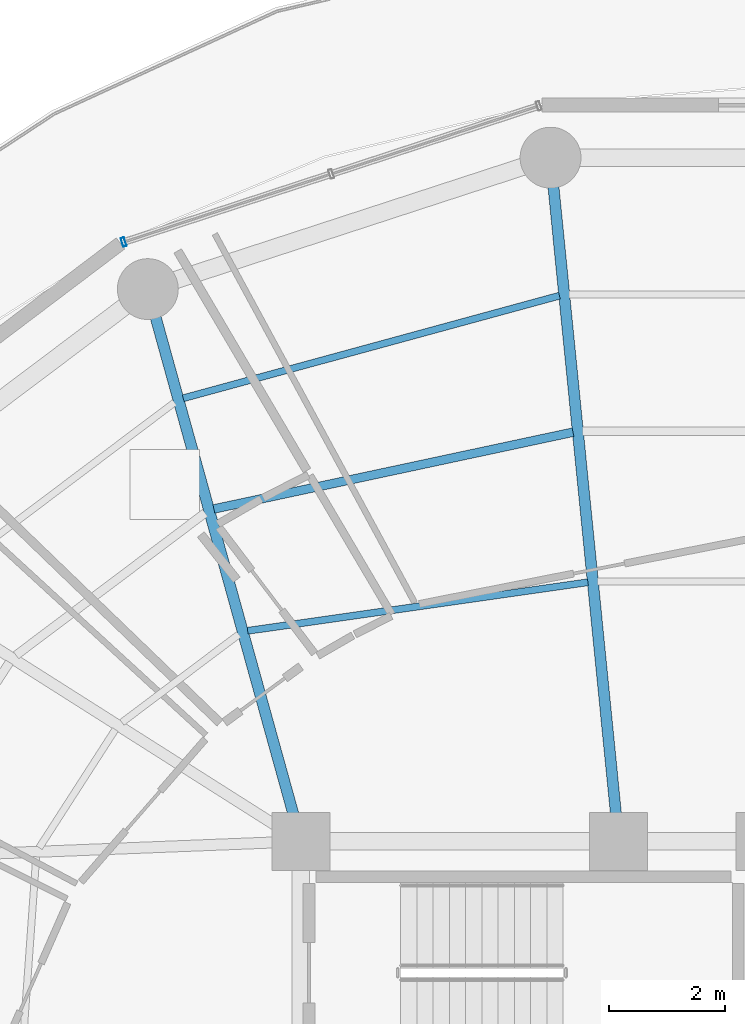
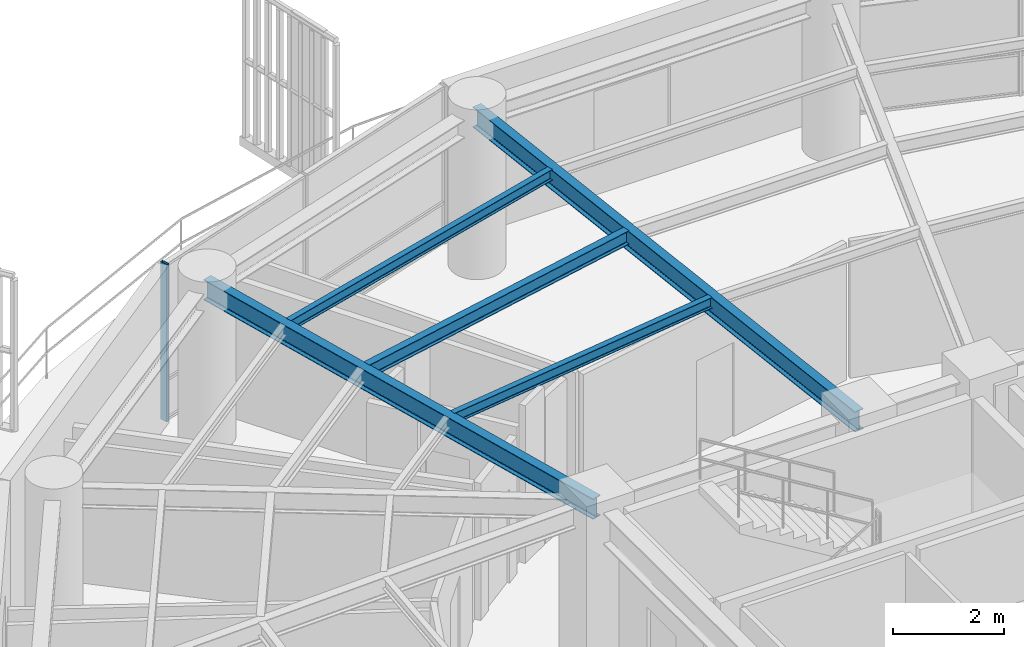
# One storey, part 18 of 31: 5 beams, 1 member, 1 element without a shape of its own.
"""IFC4 building model written with IfcOpenShell, lengths in metres."""

from ifc_helpers import new_model, si_unit, direction, frame, origin, origin_2d, place, context, subcontext, project, spatial, hollow_rectangle, i_section, extrude, material, layer, layer_set, material_profile, profile_set, type_object, element, aggregate, save


model = new_model("IFC4")

# Units and contexts
model_context = context("Model", 3, precision=1e-05, world=origin(), true_north=direction((0.0, 1.0)))
body_context = subcontext(model_context, "Body", "Model", "MODEL_VIEW")
ifc_project = project(units=[si_unit("LENGTHUNIT", "METRE"), si_unit("AREAUNIT", "SQUARE_METRE"), si_unit("VOLUMEUNIT", "CUBIC_METRE"), si_unit("PLANEANGLEUNIT", "RADIAN"), si_unit("MASSUNIT", "GRAM", prefix="KILO")], contexts=[model_context])

# Site, building, storey
site_placement = place(None, origin())
site = spatial("IfcSite", under=ifc_project, at=site_placement, CompositionType="ELEMENT")
building_placement = place(site_placement, origin())
building = spatial("IfcBuilding", under=site, at=building_placement, Name="Kelanora Arch Commons", CompositionType="ELEMENT")
storey_placement = place(building_placement, frame((0.0, 0.0, 230.699951171875)))
storey = spatial("IfcBuildingStorey", under=building, at=storey_placement, Name="L59", CompositionType="ELEMENT", Elevation=230.699951171875)

# Beams
ifc_material_1 = material(Name="Steel S355", Category="steel")
ifc_material_profile_1 = material_profile(ifc_material_1, i_section(OverallWidth=0.14990234375, OverallDepth=0.300048828125, WebThickness=0.007080078125, FlangeThickness=0.0107421875, FilletRadius=0.014892578125, at=origin_2d()), Name="IPE300")
ifc_profile_set_1 = profile_set([ifc_material_profile_1], Name="Steel S355")
beam_type_1 = type_object("IfcBeamType", Name="BM-JST-01", PredefinedType="JOIST", material=ifc_profile_set_1)
beam_1_placement = place(storey_placement, frame((70.69189453125, 72.056396484375, 3.340087890625), z_axis=(-0.977893715981, -0.209102559153, 0.0), x_axis=(0.209102559153, -0.977893715981, 0.0)))
element("IfcBeam", 1, at=beam_1_placement, inside=storey, type_object=beam_type_1, Name="Secondary Chord Joist BJB-10 L59", PredefinedType="JOIST", context=body_context, shape_type="SweptSolid", body=[
    extrude(i_section(OverallWidth=0.14990234375, OverallDepth=0.300048828125, WebThickness=0.007080078125, FlangeThickness=0.0107421875, FilletRadius=0.014892578125, at=origin_2d()), origin(), (0.0, 0.0, 1.0), 6.332763671875),
])
ifc_material_profile_2 = material_profile(ifc_material_1, i_section(OverallWidth=0.1201171875, OverallDepth=0.239990234375, WebThickness=0.006103515625, FlangeThickness=0.009765625, FilletRadius=0.014892578125, at=origin_2d()), Name="IPE240")
ifc_profile_set_2 = profile_set([ifc_material_profile_2], Name="Steel S355")
beam_type_2 = type_object("IfcBeamType", Name="BM-JST-02", PredefinedType="JOIST", material=ifc_profile_set_2)
beam_2_placement = place(storey_placement, frame((70.94921875, 69.46826171875, 3.3701171875), z_axis=(-0.989977480435, -0.141225310164, 0.0), x_axis=(0.141225310164, -0.989977480435, 0.0)))
element("IfcBeam", 2, at=beam_2_placement, inside=storey, type_object=beam_type_2, Name="Secondary Chord Joist BJA-10 L59", PredefinedType="JOIST", context=body_context, shape_type="SweptSolid", body=[
    extrude(i_section(OverallWidth=0.1201171875, OverallDepth=0.239990234375, WebThickness=0.006103515625, FlangeThickness=0.009765625, FilletRadius=0.014892578125, at=origin_2d()), origin(), (0.0, 0.0, 1.0), 5.927734375),
])
beam_3_placement = place(storey_placement, frame((70.457763671875, 74.40966796875, 3.3701171875), z_axis=(-0.964804863594, -0.262966870889, 0.0), x_axis=(0.262966870889, -0.964804863594, 0.0)))
element("IfcBeam", 3, at=beam_3_placement, inside=storey, type_object=beam_type_2, Name="Secondary Chord Joist BJC-10 L59", PredefinedType="JOIST", context=body_context, shape_type="SweptSolid", body=[
    extrude(i_section(OverallWidth=0.1201171875, OverallDepth=0.239990234375, WebThickness=0.006103515625, FlangeThickness=0.009765625, FilletRadius=0.014892578125, at=origin_2d()), origin(), (0.0, 0.0, 1.0), 6.724365234375),
])
ifc_material_profile_3 = material_profile(ifc_material_1, i_section(OverallWidth=0.18994140625, OverallDepth=0.449951171875, WebThickness=0.009521484375, FlangeThickness=0.0146484375, FilletRadius=0.02099609375, at=origin_2d()), Name="IPE450")
ifc_profile_set_3 = profile_set([ifc_material_profile_3], Name="Steel S355")
beam_type_3 = type_object("IfcBeamType", Name="BM-RAD-Z4", PredefinedType="BEAM", material=ifc_profile_set_3)
beam_4_placement = place(storey_placement, frame((71.47998046875, 65.0, 3.26513671875), z_axis=(-0.099193615558, 0.995068151753, 0.0), x_axis=(-0.995068151753, -0.099193615558, 0.0)))
element("IfcBeam", 4, at=beam_4_placement, inside=storey, type_object=beam_type_3, Name="Radial Floor Girder BR-10 L59", PredefinedType="BEAM", context=body_context, shape_type="SweptSolid", body=[
    extrude(i_section(OverallWidth=0.18994140625, OverallDepth=0.449951171875, WebThickness=0.009521484375, FlangeThickness=0.0146484375, FilletRadius=0.02099609375, at=origin_2d()), origin(), (0.0, 0.0, 1.0), 11.848388671875),
])
beam_5_placement = place(storey_placement, frame((66.0, 65.0, 3.26513671875), z_axis=(-0.267120164296, 0.963663228429, 0.0), x_axis=(-0.963663228429, -0.267120164296, 0.0)))
element("IfcBeam", 5, at=beam_5_placement, inside=storey, type_object=beam_type_3, Name="Radial Floor Girder BR-12 L59", PredefinedType="BEAM", context=body_context, shape_type="SweptSolid", body=[
    extrude(i_section(OverallWidth=0.18994140625, OverallDepth=0.449951171875, WebThickness=0.009521484375, FlangeThickness=0.0146484375, FilletRadius=0.02099609375, at=origin_2d()), origin(), (0.0, 0.0, 1.0), 9.8828125),
])

# Curtain wall, member
ifc_material_2 = material(Name="Terracotta ceramic-fritted low-E glass and aluminium", Category="masonry")
ifc_layer = layer(ifc_material_2, 0.175048828125)
ifc_layer_set = layer_set([ifc_layer], Name="Terracotta ceramic-fritted low-E glass and aluminium")
curtain_wall_type = type_object("IfcCurtainWallType", Name="CW-SYS-02", PredefinedType="NOTDEFINED", material=ifc_layer_set)
curtain_wall_placement = place(storey_placement, origin())
curtain_wall = element("IfcCurtainWall", 6, at=curtain_wall_placement, inside=storey, type_object=curtain_wall_type, Name="Unitised Curtain Wall L59-B05", PredefinedType="NOTDEFINED")
ifc_material_3 = material(Name="Powder-coated aluminium terracotta", Category="masonry")
ifc_material_profile_4 = material_profile(ifc_material_3, hollow_rectangle(XDim=0.159912109375, YDim=0.06005859375, WallThickness=0.0048828125, InnerFilletRadius=0.0048828125, OuterFilletRadius=0.010009765625, at=origin_2d()), Name="CWM160x60")
ifc_profile_set_4 = profile_set([ifc_material_profile_4], Name="Powder-coated aluminium terracotta")
member_type = type_object("IfcMemberType", Name="CWM-STD", PredefinedType="MULLION", material=ifc_profile_set_4)
member_placement = place(storey_placement, frame((62.94287109375, 75.33447265625, 0.0), z_axis=(0.0, 0.0, 1.0), x_axis=(0.311582439059, -0.950219124029, 0.0)))
member = element("IfcMember", 7, at=member_placement, type_object=member_type, Name="CW-02 mullion 3", PredefinedType="MULLION", context=body_context, shape_type="SweptSolid", body=[
    extrude(hollow_rectangle(XDim=0.159912109375, YDim=0.06005859375, WallThickness=0.0048828125, InnerFilletRadius=0.0048828125, OuterFilletRadius=0.010009765625, at=origin_2d()), origin(), (0.0, 0.0, 1.0), 3.47509765625),
])
aggregate(curtain_wall, [member])

save(model, "model.ifc")
